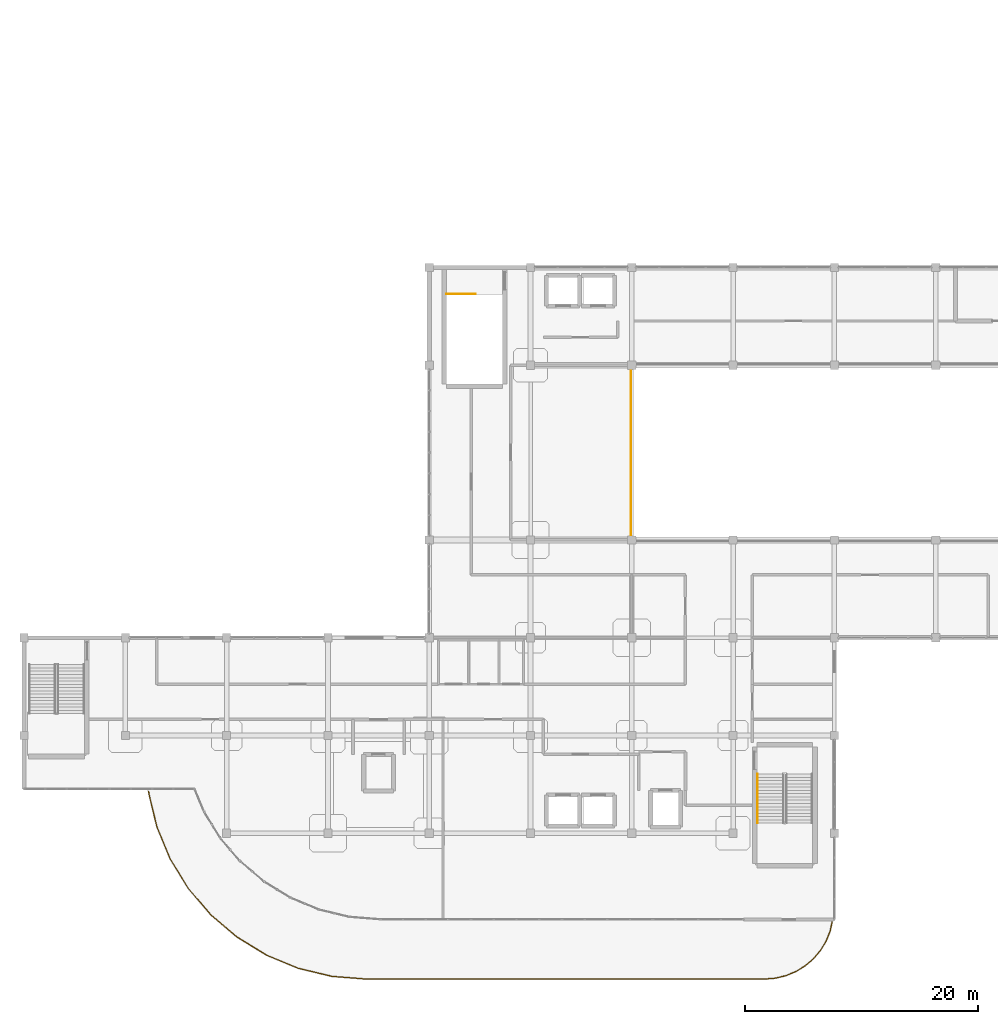
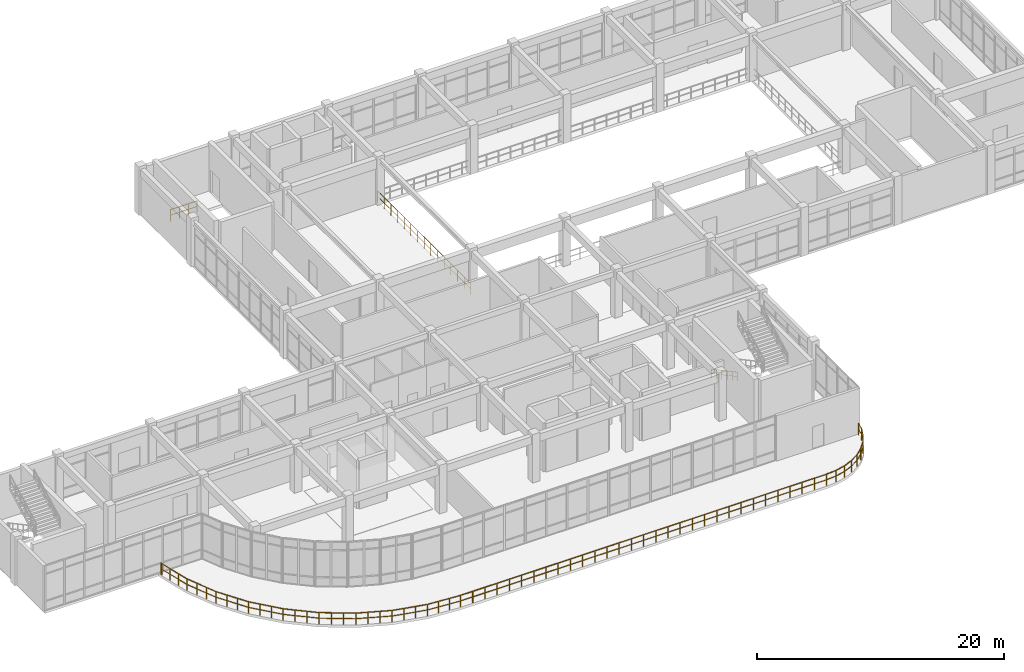
# One storey, part 61 of 64: 4 railings.
"""IFC4 building model written with IfcOpenShell, lengths in metres."""

from ifc_helpers import new_model, si_unit, derived_unit, direction, frame, origin, origin_2d, place, context, subcontext, project, spatial, circle, extrude, material, type_object, element, save


model = new_model("IFC4")

# Units and contexts
model_context = context("Model", 3, precision=1e-05, world=origin(), true_north=direction((0.0, 1.0)))
body_context = subcontext(model_context, "Body", "Model", "MODEL_VIEW")
ifc_project = project(units=[si_unit("LENGTHUNIT", "METRE"), si_unit("AREAUNIT", "SQUARE_METRE"), si_unit("VOLUMEUNIT", "CUBIC_METRE"), si_unit("PLANEANGLEUNIT", "RADIAN"), si_unit("MASSUNIT", "GRAM", prefix="KILO"), derived_unit("THERMALTRANSMITTANCEUNIT", [(si_unit("MASSUNIT", "GRAM", prefix="KILO"), 1), (si_unit("TIMEUNIT", "SECOND"), -3), (si_unit("THERMODYNAMICTEMPERATUREUNIT", "KELVIN"), -1)])], contexts=[model_context])

# Site, building, storey
site_placement = place(None, origin())
site = spatial("IfcSite", under=ifc_project, at=site_placement, CompositionType="ELEMENT")
building_placement = place(site_placement, origin())
building = spatial("IfcBuilding", under=site, at=building_placement, Name="Qinzheling Arcade Emporium", CompositionType="ELEMENT")
storey_placement = place(building_placement, frame((0.0, 0.0, 31.5)))
storey = spatial("IfcBuildingStorey", under=building, at=storey_placement, Name="L07", CompositionType="ELEMENT", Elevation=31.5)

# Railings
ifc_material_1 = material(Name="Architectural bronze rail and laminated safety glass", Category="glass")
railing_type_1 = type_object("IfcRailingType", Name="Curved Terrace Laminated Glass and Bronze Balustrade 1150", PredefinedType="BALUSTRADE", material=ifc_material_1)
railing_1_placement = place(storey_placement, frame((69.406982421875, 17.580078125, 0.0)))
element("IfcRailing", 1, at=railing_1_placement, inside=storey, type_object=railing_type_1, Name="Terrace Balustrade RLG-TER-L07-018", PredefinedType="BALUSTRADE", context=body_context, shape_type="SweptSolid", body=[
    extrude(circle(Radius=0.02392578125, at=origin_2d()), frame((0.0, 0.0, 1.1259765625), z_axis=(-0.214592229861, -0.976703729328, 0.0), x_axis=(0.976703729328, -0.214592229861, 0.0)), (0.0, 0.0, 1.0), 0.829345703125),
    extrude(circle(Radius=0.01611328125, at=origin_2d()), frame((0.0, 0.0, 0.574951171875), z_axis=(-0.214592229861, -0.976703729328, 0.0), x_axis=(0.976703729328, -0.214592229861, 0.0)), (0.0, 0.0, 1.0), 0.829345703125),
    extrude(circle(Radius=0.02392578125, at=origin_2d()), frame((-0.177978515625, -0.81005859375, 1.1259765625), z_axis=(-0.382336309039, -0.924023239313, 0.0), x_axis=(0.924023239313, -0.382336309039, 0.0)), (0.0, 0.0, 1.0), 0.928466796875),
    extrude(circle(Radius=0.01611328125, at=origin_2d()), frame((-0.177978515625, -0.81005859375, 0.574951171875), z_axis=(-0.382336309039, -0.924023239313, 0.0), x_axis=(0.924023239313, -0.382336309039, 0.0)), (0.0, 0.0, 1.0), 0.928466796875),
    extrude(circle(Radius=0.02392578125, at=origin_2d()), frame((-0.532958984375, -1.66796875, 1.1259765625), z_axis=(-0.522321636863, -0.852748560635, 0.0), x_axis=(0.852748560635, -0.522321636863, 0.0)), (0.0, 0.0, 1.0), 0.9287109375),
    extrude(circle(Radius=0.01611328125, at=origin_2d()), frame((-0.532958984375, -1.66796875, 0.574951171875), z_axis=(-0.522321636863, -0.852748560635, 0.0), x_axis=(0.852748560635, -0.522321636863, 0.0)), (0.0, 0.0, 1.0), 0.9287109375),
    extrude(circle(Radius=0.02392578125, at=origin_2d()), frame((-1.01806640625, -2.4599609375, 1.1259765625), z_axis=(-0.649447844247, -0.760406139904, 0.0), x_axis=(0.760406139904, -0.649447844247, 0.0)), (0.0, 0.0, 1.0), 0.928466796875),
    extrude(circle(Radius=0.01611328125, at=origin_2d()), frame((-1.01806640625, -2.4599609375, 0.574951171875), z_axis=(-0.649447844247, -0.760406139904, 0.0), x_axis=(0.760406139904, -0.649447844247, 0.0)), (0.0, 0.0, 1.0), 0.928466796875),
    extrude(circle(Radius=0.02392578125, at=origin_2d()), frame((-1.62109375, -3.166015625, 1.1259765625), z_axis=(-0.760295205528, -0.649577709324, 0.0), x_axis=(0.649577709324, -0.760295205528, 0.0)), (0.0, 0.0, 1.0), 0.92822265625),
    extrude(circle(Radius=0.01611328125, at=origin_2d()), frame((-1.62109375, -3.166015625, 0.574951171875), z_axis=(-0.760295205528, -0.649577709324, 0.0), x_axis=(0.649577709324, -0.760295205528, 0.0)), (0.0, 0.0, 1.0), 0.92822265625),
    extrude(circle(Radius=0.02392578125, at=origin_2d()), frame((-2.326904296875, -3.76904296875, 1.1259765625), z_axis=(-0.852748560635, -0.522321636863, 0.0), x_axis=(0.522321636863, -0.852748560635, 0.0)), (0.0, 0.0, 1.0), 0.9287109375),
    extrude(circle(Radius=0.01611328125, at=origin_2d()), frame((-2.326904296875, -3.76904296875, 0.574951171875), z_axis=(-0.852748560635, -0.522321636863, 0.0), x_axis=(0.522321636863, -0.852748560635, 0.0)), (0.0, 0.0, 1.0), 0.9287109375),
    extrude(circle(Radius=0.02392578125, at=origin_2d()), frame((-3.118896484375, -4.254150390625, 1.1259765625), z_axis=(-0.923844027884, -0.382769136873, 0.0), x_axis=(0.382769136873, -0.923844027884, 0.0)), (0.0, 0.0, 1.0), 0.929931640625),
    extrude(circle(Radius=0.01611328125, at=origin_2d()), frame((-3.118896484375, -4.254150390625, 0.574951171875), z_axis=(-0.923844027884, -0.382769136873, 0.0), x_axis=(0.382769136873, -0.923844027884, 0.0)), (0.0, 0.0, 1.0), 0.929931640625),
    extrude(circle(Radius=0.02392578125, at=origin_2d()), frame((-3.97802734375, -4.610107421875, 1.1259765625), z_axis=(-0.972313286929, -0.233681133301, 0.0), x_axis=(0.233681133301, -0.972313286929, 0.0)), (0.0, 0.0, 1.0), 0.9287109375),
    extrude(circle(Radius=0.01611328125, at=origin_2d()), frame((-3.97802734375, -4.610107421875, 0.574951171875), z_axis=(-0.972313286929, -0.233681133301, 0.0), x_axis=(0.233681133301, -0.972313286929, 0.0)), (0.0, 0.0, 1.0), 0.9287109375),
    extrude(circle(Radius=0.02392578125, at=origin_2d()), frame((-4.881103515625, -4.8271484375, 1.1259765625), z_axis=(-0.996926753323, -0.07833931649, 0.0), x_axis=(0.07833931649, -0.996926753323, 0.0)), (0.0, 0.0, 1.0), 0.931884765625),
    extrude(circle(Radius=0.01611328125, at=origin_2d()), frame((-4.881103515625, -4.8271484375, 0.574951171875), z_axis=(-0.996926753323, -0.07833931649, 0.0), x_axis=(0.07833931649, -0.996926753323, 0.0)), (0.0, 0.0, 1.0), 0.931884765625),
    extrude(circle(Radius=0.02392578125, at=origin_2d()), frame((-5.81005859375, -4.900146484375, 1.1259765625), z_axis=(-1.0, 0.0, 0.0), x_axis=(0.0, -1.0, 0.0)), (0.0, 0.0, 1.0), 34.19384765625),
    extrude(circle(Radius=0.01611328125, at=origin_2d()), frame((-5.81005859375, -4.900146484375, 0.574951171875), z_axis=(-1.0, 0.0, 0.0), x_axis=(0.0, -1.0, 0.0)), (0.0, 0.0, 1.0), 34.19384765625),
    extrude(circle(Radius=0.02392578125, at=origin_2d()), frame((-40.00390625, -4.900146484375, 1.1259765625), z_axis=(-0.996916612664, 0.07846825724, 0.0), x_axis=(-0.07846825724, -0.996916612664, 0.0)), (0.0, 0.0, 1.0), 2.971435546875),
    extrude(circle(Radius=0.01611328125, at=origin_2d()), frame((-40.00390625, -4.900146484375, 0.574951171875), z_axis=(-0.996916612664, 0.07846825724, 0.0), x_axis=(-0.07846825724, -0.996916612664, 0.0)), (0.0, 0.0, 1.0), 2.971435546875),
    extrude(circle(Radius=0.02392578125, at=origin_2d()), frame((-42.966064453125, -4.6669921875, 1.1259765625), z_axis=(-0.972387301981, 0.233372952475, 0.0), x_axis=(-0.233372952475, -0.972387301981, 0.0)), (0.0, 0.0, 1.0), 2.968994140625),
    extrude(circle(Radius=0.01611328125, at=origin_2d()), frame((-42.966064453125, -4.6669921875, 0.574951171875), z_axis=(-0.972387301981, 0.233372952475, 0.0), x_axis=(-0.233372952475, -0.972387301981, 0.0)), (0.0, 0.0, 1.0), 2.968994140625),
    extrude(circle(Radius=0.02392578125, at=origin_2d()), frame((-45.85302734375, -3.97412109375, 1.1259765625), z_axis=(-0.923831463888, 0.382799459679, 0.0), x_axis=(-0.382799459679, -0.923831463888, 0.0)), (0.0, 0.0, 1.0), 2.97021484375),
    extrude(circle(Radius=0.01611328125, at=origin_2d()), frame((-45.85302734375, -3.97412109375, 0.574951171875), z_axis=(-0.923831463888, 0.382799459679, 0.0), x_axis=(-0.382799459679, -0.923831463888, 0.0)), (0.0, 0.0, 1.0), 2.97021484375),
    extrude(circle(Radius=0.02392578125, at=origin_2d()), frame((-48.596923828125, -2.837158203125, 1.1259765625), z_axis=(-0.852636711721, 0.522504198859, 0.0), x_axis=(-0.522504198859, -0.852636711721, 0.0)), (0.0, 0.0, 1.0), 2.968505859375),
    extrude(circle(Radius=0.01611328125, at=origin_2d()), frame((-48.596923828125, -2.837158203125, 0.574951171875), z_axis=(-0.852636711721, 0.522504198859, 0.0), x_axis=(-0.522504198859, -0.852636711721, 0.0)), (0.0, 0.0, 1.0), 2.968505859375),
    extrude(circle(Radius=0.02392578125, at=origin_2d()), frame((-51.1279296875, -1.2861328125, 1.1259765625), z_axis=(-0.760364369972, 0.649496747395, 0.0), x_axis=(-0.649496747395, -0.760364369972, 0.0)), (0.0, 0.0, 1.0), 2.968505859375),
    extrude(circle(Radius=0.01611328125, at=origin_2d()), frame((-51.1279296875, -1.2861328125, 0.574951171875), z_axis=(-0.760364369972, 0.649496747395, 0.0), x_axis=(-0.649496747395, -0.760364369972, 0.0)), (0.0, 0.0, 1.0), 2.968505859375),
    extrude(circle(Radius=0.02392578125, at=origin_2d()), frame((-53.385009765625, 0.641845703125, 1.1259765625), z_axis=(-0.649496747395, 0.760364369972, 0.0), x_axis=(-0.760364369972, -0.649496747395, 0.0)), (0.0, 0.0, 1.0), 2.968505859375),
    extrude(circle(Radius=0.01611328125, at=origin_2d()), frame((-53.385009765625, 0.641845703125, 0.574951171875), z_axis=(-0.649496747395, 0.760364369972, 0.0), x_axis=(-0.760364369972, -0.649496747395, 0.0)), (0.0, 0.0, 1.0), 2.968505859375),
    extrude(circle(Radius=0.02392578125, at=origin_2d()), frame((-55.31298828125, 2.89892578125, 1.1259765625), z_axis=(-0.522504198859, 0.852636711721, 0.0), x_axis=(-0.852636711721, -0.522504198859, 0.0)), (0.0, 0.0, 1.0), 2.968505859375),
    extrude(circle(Radius=0.01611328125, at=origin_2d()), frame((-55.31298828125, 2.89892578125, 0.574951171875), z_axis=(-0.522504198859, 0.852636711721, 0.0), x_axis=(-0.852636711721, -0.522504198859, 0.0)), (0.0, 0.0, 1.0), 2.968505859375),
    extrude(circle(Radius=0.02392578125, at=origin_2d()), frame((-56.864013671875, 5.429931640625, 1.1259765625), z_axis=(-0.382799459679, 0.923831463888, 0.0), x_axis=(-0.923831463888, -0.382799459679, 0.0)), (0.0, 0.0, 1.0), 2.97021484375),
    extrude(circle(Radius=0.01611328125, at=origin_2d()), frame((-56.864013671875, 5.429931640625, 0.574951171875), z_axis=(-0.382799459679, 0.923831463888, 0.0), x_axis=(-0.923831463888, -0.382799459679, 0.0)), (0.0, 0.0, 1.0), 2.97021484375),
    extrude(circle(Radius=0.02392578125, at=origin_2d()), frame((-58.0009765625, 8.173828125, 1.1259765625), z_axis=(-0.233432038402, 0.972373119459, 0.0), x_axis=(-0.972373119459, -0.233432038402, 0.0)), (0.0, 0.0, 1.0), 2.96923828125),
    extrude(circle(Radius=0.01611328125, at=origin_2d()), frame((-58.0009765625, 8.173828125, 0.574951171875), z_axis=(-0.233432038402, 0.972373119459, 0.0), x_axis=(-0.972373119459, -0.233432038402, 0.0)), (0.0, 0.0, 1.0), 2.96923828125),
    extrude(circle(Radius=0.02392578125, at=origin_2d()), frame((-58.694091796875, 11.06103515625, 1.1259765625), z_axis=(-0.078839943624, 0.996887287154, 0.0), x_axis=(-0.996887287154, -0.078839943624, 0.0)), (0.0, 0.0, 1.0), 0.139404296875),
    extrude(circle(Radius=0.01611328125, at=origin_2d()), frame((-58.694091796875, 11.06103515625, 0.574951171875), z_axis=(-0.078839943624, 0.996887287154, 0.0), x_axis=(-0.996887287154, -0.078839943624, 0.0)), (0.0, 0.0, 1.0), 0.139404296875),
    extrude(circle(Radius=0.02099609375, at=origin_2d()), origin(), (0.0, 0.0, 1.0), 1.101806640625),
    extrude(circle(Radius=0.02099609375, at=origin_2d()), frame((-0.177978515625, -0.81005859375, 0.0)), (0.0, 0.0, 1.0), 1.101806640625),
    extrude(circle(Radius=0.02099609375, at=origin_2d()), frame((-0.532958984375, -1.66796875, 0.0)), (0.0, 0.0, 1.0), 1.101806640625),
    extrude(circle(Radius=0.02099609375, at=origin_2d()), frame((-1.01806640625, -2.4599609375, 0.0)), (0.0, 0.0, 1.0), 1.101806640625),
    extrude(circle(Radius=0.02099609375, at=origin_2d()), frame((-1.62109375, -3.166015625, 0.0)), (0.0, 0.0, 1.0), 1.101806640625),
    extrude(circle(Radius=0.02099609375, at=origin_2d()), frame((-2.326904296875, -3.76904296875, 0.0)), (0.0, 0.0, 1.0), 1.101806640625),
    extrude(circle(Radius=0.02099609375, at=origin_2d()), frame((-3.118896484375, -4.254150390625, 0.0)), (0.0, 0.0, 1.0), 1.101806640625),
    extrude(circle(Radius=0.02099609375, at=origin_2d()), frame((-3.97802734375, -4.610107421875, 0.0)), (0.0, 0.0, 1.0), 1.101806640625),
    extrude(circle(Radius=0.02099609375, at=origin_2d()), frame((-4.881103515625, -4.8271484375, 0.0)), (0.0, 0.0, 1.0), 1.101806640625),
    extrude(circle(Radius=0.02099609375, at=origin_2d()), frame((-5.81005859375, -4.900146484375, 0.0)), (0.0, 0.0, 1.0), 1.101806640625),
    extrude(circle(Radius=0.02099609375, at=origin_2d()), frame((-6.949951171875, -4.900146484375, 0.0)), (0.0, 0.0, 1.0), 1.101806640625),
    extrude(circle(Radius=0.02099609375, at=origin_2d()), frame((-8.089599609375, -4.900146484375, 0.0)), (0.0, 0.0, 1.0), 1.101806640625),
    extrude(circle(Radius=0.02099609375, at=origin_2d()), frame((-9.2294921875, -4.900146484375, 0.0)), (0.0, 0.0, 1.0), 1.101806640625),
    extrude(circle(Radius=0.02099609375, at=origin_2d()), frame((-10.369140625, -4.900146484375, 0.0)), (0.0, 0.0, 1.0), 1.101806640625),
    extrude(circle(Radius=0.02099609375, at=origin_2d()), frame((-11.509033203125, -4.900146484375, 0.0)), (0.0, 0.0, 1.0), 1.101806640625),
    extrude(circle(Radius=0.02099609375, at=origin_2d()), frame((-12.64892578125, -4.900146484375, 0.0)), (0.0, 0.0, 1.0), 1.101806640625),
    extrude(circle(Radius=0.02099609375, at=origin_2d()), frame((-13.78857421875, -4.900146484375, 0.0)), (0.0, 0.0, 1.0), 1.101806640625),
    extrude(circle(Radius=0.02099609375, at=origin_2d()), frame((-14.928466796875, -4.900146484375, 0.0)), (0.0, 0.0, 1.0), 1.101806640625),
    extrude(circle(Radius=0.02099609375, at=origin_2d()), frame((-16.068115234375, -4.900146484375, 0.0)), (0.0, 0.0, 1.0), 1.101806640625),
    extrude(circle(Radius=0.02099609375, at=origin_2d()), frame((-17.2080078125, -4.900146484375, 0.0)), (0.0, 0.0, 1.0), 1.101806640625),
    extrude(circle(Radius=0.02099609375, at=origin_2d()), frame((-18.347900390625, -4.900146484375, 0.0)), (0.0, 0.0, 1.0), 1.101806640625),
    extrude(circle(Radius=0.02099609375, at=origin_2d()), frame((-19.487548828125, -4.900146484375, 0.0)), (0.0, 0.0, 1.0), 1.101806640625),
    extrude(circle(Radius=0.02099609375, at=origin_2d()), frame((-20.62744140625, -4.900146484375, 0.0)), (0.0, 0.0, 1.0), 1.101806640625),
    extrude(circle(Radius=0.02099609375, at=origin_2d()), frame((-21.76708984375, -4.900146484375, 0.0)), (0.0, 0.0, 1.0), 1.101806640625),
    extrude(circle(Radius=0.02099609375, at=origin_2d()), frame((-22.906982421875, -4.900146484375, 0.0)), (0.0, 0.0, 1.0), 1.101806640625),
    extrude(circle(Radius=0.02099609375, at=origin_2d()), frame((-24.046875, -4.900146484375, 0.0)), (0.0, 0.0, 1.0), 1.101806640625),
    extrude(circle(Radius=0.02099609375, at=origin_2d()), frame((-25.1865234375, -4.900146484375, 0.0)), (0.0, 0.0, 1.0), 1.101806640625),
    extrude(circle(Radius=0.02099609375, at=origin_2d()), frame((-26.326416015625, -4.900146484375, 0.0)), (0.0, 0.0, 1.0), 1.101806640625),
    extrude(circle(Radius=0.02099609375, at=origin_2d()), frame((-27.466064453125, -4.900146484375, 0.0)), (0.0, 0.0, 1.0), 1.101806640625),
    extrude(circle(Radius=0.02099609375, at=origin_2d()), frame((-28.60595703125, -4.900146484375, 0.0)), (0.0, 0.0, 1.0), 1.101806640625),
    extrude(circle(Radius=0.02099609375, at=origin_2d()), frame((-29.745849609375, -4.900146484375, 0.0)), (0.0, 0.0, 1.0), 1.101806640625),
    extrude(circle(Radius=0.02099609375, at=origin_2d()), frame((-30.885498046875, -4.900146484375, 0.0)), (0.0, 0.0, 1.0), 1.101806640625),
    extrude(circle(Radius=0.02099609375, at=origin_2d()), frame((-32.025390625, -4.900146484375, 0.0)), (0.0, 0.0, 1.0), 1.101806640625),
    extrude(circle(Radius=0.02099609375, at=origin_2d()), frame((-33.1650390625, -4.900146484375, 0.0)), (0.0, 0.0, 1.0), 1.101806640625),
    extrude(circle(Radius=0.02099609375, at=origin_2d()), frame((-34.304931640625, -4.900146484375, 0.0)), (0.0, 0.0, 1.0), 1.101806640625),
    extrude(circle(Radius=0.02099609375, at=origin_2d()), frame((-35.44482421875, -4.900146484375, 0.0)), (0.0, 0.0, 1.0), 1.101806640625),
    extrude(circle(Radius=0.02099609375, at=origin_2d()), frame((-36.58447265625, -4.900146484375, 0.0)), (0.0, 0.0, 1.0), 1.101806640625),
    extrude(circle(Radius=0.02099609375, at=origin_2d()), frame((-37.724365234375, -4.900146484375, 0.0)), (0.0, 0.0, 1.0), 1.101806640625),
    extrude(circle(Radius=0.02099609375, at=origin_2d()), frame((-38.864013671875, -4.900146484375, 0.0)), (0.0, 0.0, 1.0), 1.101806640625),
    extrude(circle(Radius=0.02099609375, at=origin_2d()), frame((-40.00390625, -4.900146484375, 0.0)), (0.0, 0.0, 1.0), 1.101806640625),
    extrude(circle(Radius=0.02099609375, at=origin_2d()), frame((-40.9912109375, -4.822509765625, 0.0)), (0.0, 0.0, 1.0), 1.101806640625),
    extrude(circle(Radius=0.02099609375, at=origin_2d()), frame((-41.978759765625, -4.74462890625, 0.0)), (0.0, 0.0, 1.0), 1.101806640625),
    extrude(circle(Radius=0.02099609375, at=origin_2d()), frame((-42.966064453125, -4.6669921875, 0.0)), (0.0, 0.0, 1.0), 1.101806640625),
    extrude(circle(Radius=0.02099609375, at=origin_2d()), frame((-43.928466796875, -4.43603515625, 0.0)), (0.0, 0.0, 1.0), 1.101806640625),
    extrude(circle(Radius=0.02099609375, at=origin_2d()), frame((-44.890625, -4.205078125, 0.0)), (0.0, 0.0, 1.0), 1.101806640625),
    extrude(circle(Radius=0.02099609375, at=origin_2d()), frame((-45.85302734375, -3.97412109375, 0.0)), (0.0, 0.0, 1.0), 1.101806640625),
    extrude(circle(Radius=0.02099609375, at=origin_2d()), frame((-46.767578125, -3.59521484375, 0.0)), (0.0, 0.0, 1.0), 1.101806640625),
    extrude(circle(Radius=0.02099609375, at=origin_2d()), frame((-47.682373046875, -3.216064453125, 0.0)), (0.0, 0.0, 1.0), 1.101806640625),
    extrude(circle(Radius=0.02099609375, at=origin_2d()), frame((-48.596923828125, -2.837158203125, 0.0)), (0.0, 0.0, 1.0), 1.101806640625),
    extrude(circle(Radius=0.02099609375, at=origin_2d()), frame((-49.440673828125, -2.320068359375, 0.0)), (0.0, 0.0, 1.0), 1.101806640625),
    extrude(circle(Radius=0.02099609375, at=origin_2d()), frame((-50.2841796875, -1.80322265625, 0.0)), (0.0, 0.0, 1.0), 1.101806640625),
    extrude(circle(Radius=0.02099609375, at=origin_2d()), frame((-51.1279296875, -1.2861328125, 0.0)), (0.0, 0.0, 1.0), 1.101806640625),
    extrude(circle(Radius=0.02099609375, at=origin_2d()), frame((-51.88037109375, -0.6435546875, 0.0)), (0.0, 0.0, 1.0), 1.101806640625),
    extrude(circle(Radius=0.02099609375, at=origin_2d()), frame((-52.632568359375, -0.000732421875, 0.0)), (0.0, 0.0, 1.0), 1.101806640625),
    extrude(circle(Radius=0.02099609375, at=origin_2d()), frame((-53.385009765625, 0.641845703125, 0.0)), (0.0, 0.0, 1.0), 1.101806640625),
    extrude(circle(Radius=0.02099609375, at=origin_2d()), frame((-54.027587890625, 1.394287109375, 0.0)), (0.0, 0.0, 1.0), 1.101806640625),
    extrude(circle(Radius=0.02099609375, at=origin_2d()), frame((-54.67041015625, 2.146484375, 0.0)), (0.0, 0.0, 1.0), 1.101806640625),
    extrude(circle(Radius=0.02099609375, at=origin_2d()), frame((-55.31298828125, 2.89892578125, 0.0)), (0.0, 0.0, 1.0), 1.101806640625),
    extrude(circle(Radius=0.02099609375, at=origin_2d()), frame((-55.830078125, 3.74267578125, 0.0)), (0.0, 0.0, 1.0), 1.101806640625),
    extrude(circle(Radius=0.02099609375, at=origin_2d()), frame((-56.346923828125, 4.586181640625, 0.0)), (0.0, 0.0, 1.0), 1.101806640625),
    extrude(circle(Radius=0.02099609375, at=origin_2d()), frame((-56.864013671875, 5.429931640625, 0.0)), (0.0, 0.0, 1.0), 1.101806640625),
    extrude(circle(Radius=0.02099609375, at=origin_2d()), frame((-57.242919921875, 6.344482421875, 0.0)), (0.0, 0.0, 1.0), 1.101806640625),
    extrude(circle(Radius=0.02099609375, at=origin_2d()), frame((-57.6220703125, 7.25927734375, 0.0)), (0.0, 0.0, 1.0), 1.101806640625),
    extrude(circle(Radius=0.02099609375, at=origin_2d()), frame((-58.0009765625, 8.173828125, 0.0)), (0.0, 0.0, 1.0), 1.101806640625),
    extrude(circle(Radius=0.02099609375, at=origin_2d()), frame((-58.23193359375, 9.13623046875, 0.0)), (0.0, 0.0, 1.0), 1.101806640625),
    extrude(circle(Radius=0.02099609375, at=origin_2d()), frame((-58.463134765625, 10.0986328125, 0.0)), (0.0, 0.0, 1.0), 1.101806640625),
    extrude(circle(Radius=0.02099609375, at=origin_2d()), frame((-58.694091796875, 11.06103515625, 0.0)), (0.0, 0.0, 1.0), 1.101806640625),
    extrude(circle(Radius=0.02099609375, at=origin_2d()), frame((-58.705078125, 11.199951171875, 0.0)), (0.0, 0.0, 1.0), 1.101806640625),
])
ifc_material_2 = material(Name="Galvanised powder-coated tubular steel", Category="steel")
railing_type_2 = type_object("IfcRailingType", Name="Painted Steel Stairwell Guard Railing 1150", PredefinedType="GUARDRAIL", material=ifc_material_2)
railing_2_placement = place(storey_placement, frame((36.300048828125, 71.530029296875, 0.0)))
element("IfcRailing", 2, at=railing_2_placement, inside=storey, type_object=railing_type_2, Name="L07 ST03 top well guard 1", PredefinedType="GUARDRAIL", context=body_context, shape_type="SweptSolid", body=[
    extrude(circle(Radius=0.02392578125, at=origin_2d()), frame((0.0, 0.0, 1.1259765625), z_axis=(1.0, 0.0, 0.0), x_axis=(0.0, 1.0, 0.0)), (0.0, 0.0, 1.0), 2.469970703125),
    extrude(circle(Radius=0.01611328125, at=origin_2d()), frame((0.0, 0.0, 0.574951171875), z_axis=(1.0, 0.0, 0.0), x_axis=(0.0, 1.0, 0.0)), (0.0, 0.0, 1.0), 2.469970703125),
    extrude(circle(Radius=0.02099609375, at=origin_2d()), origin(), (0.0, 0.0, 1.0), 1.101806640625),
    extrude(circle(Radius=0.02099609375, at=origin_2d()), frame((0.8232421875, 0.0, 0.0)), (0.0, 0.0, 1.0), 1.101806640625),
    extrude(circle(Radius=0.02099609375, at=origin_2d()), frame((1.646728515625, 0.0, 0.0)), (0.0, 0.0, 1.0), 1.101806640625),
    extrude(circle(Radius=0.02099609375, at=origin_2d()), frame((2.469970703125, 0.0, 0.0)), (0.0, 0.0, 1.0), 1.101806640625),
])
railing_3_placement = place(storey_placement, frame((52.1201171875, 50.3701171875, 0.0)))
element("IfcRailing", 3, at=railing_3_placement, inside=storey, type_object=railing_type_2, Name="Atrium Void Guard L07 W", PredefinedType="GUARDRAIL", context=body_context, shape_type="SweptSolid", body=[
    extrude(circle(Radius=0.02392578125, at=origin_2d()), frame((0.0, 0.0, 1.1259765625), z_axis=(0.0, 1.0, 0.0), x_axis=(-1.0, 0.0, 0.0)), (0.0, 0.0, 1.0), 15.059814453125),
    extrude(circle(Radius=0.01611328125, at=origin_2d()), frame((0.0, 0.0, 0.574951171875), z_axis=(0.0, 1.0, 0.0), x_axis=(-1.0, 0.0, 0.0)), (0.0, 0.0, 1.0), 15.059814453125),
    extrude(circle(Radius=0.02099609375, at=origin_2d()), origin(), (0.0, 0.0, 1.0), 1.101806640625),
    extrude(circle(Radius=0.02099609375, at=origin_2d()), frame((0.0, 1.07568359375, 0.0)), (0.0, 0.0, 1.0), 1.101806640625),
    extrude(circle(Radius=0.02099609375, at=origin_2d()), frame((0.0, 2.1513671875, 0.0)), (0.0, 0.0, 1.0), 1.101806640625),
    extrude(circle(Radius=0.02099609375, at=origin_2d()), frame((0.0, 3.22705078125, 0.0)), (0.0, 0.0, 1.0), 1.101806640625),
    extrude(circle(Radius=0.02099609375, at=origin_2d()), frame((0.0, 4.302734375, 0.0)), (0.0, 0.0, 1.0), 1.101806640625),
    extrude(circle(Radius=0.02099609375, at=origin_2d()), frame((0.0, 5.37841796875, 0.0)), (0.0, 0.0, 1.0), 1.101806640625),
    extrude(circle(Radius=0.02099609375, at=origin_2d()), frame((0.0, 6.4541015625, 0.0)), (0.0, 0.0, 1.0), 1.101806640625),
    extrude(circle(Radius=0.02099609375, at=origin_2d()), frame((0.0, 7.52978515625, 0.0)), (0.0, 0.0, 1.0), 1.101806640625),
    extrude(circle(Radius=0.02099609375, at=origin_2d()), frame((0.0, 8.605712890625, 0.0)), (0.0, 0.0, 1.0), 1.101806640625),
    extrude(circle(Radius=0.02099609375, at=origin_2d()), frame((0.0, 9.681396484375, 0.0)), (0.0, 0.0, 1.0), 1.101806640625),
    extrude(circle(Radius=0.02099609375, at=origin_2d()), frame((0.0, 10.757080078125, 0.0)), (0.0, 0.0, 1.0), 1.101806640625),
    extrude(circle(Radius=0.02099609375, at=origin_2d()), frame((0.0, 11.832763671875, 0.0)), (0.0, 0.0, 1.0), 1.101806640625),
    extrude(circle(Radius=0.02099609375, at=origin_2d()), frame((0.0, 12.908447265625, 0.0)), (0.0, 0.0, 1.0), 1.101806640625),
    extrude(circle(Radius=0.02099609375, at=origin_2d()), frame((0.0, 13.984130859375, 0.0)), (0.0, 0.0, 1.0), 1.101806640625),
    extrude(circle(Radius=0.02099609375, at=origin_2d()), frame((0.0, 15.059814453125, 0.0)), (0.0, 0.0, 1.0), 1.101806640625),
])
ifc_material_3 = material(Name="Brushed stainless steel 304", Category="steel")
railing_type_3 = type_object("IfcRailingType", Name="Stainless Steel Wall Handrail 900", PredefinedType="HANDRAIL", material=ifc_material_3)
railing_4_placement = place(storey_placement, frame((63.0, 30.280029296875, 0.14990234375)))
element("IfcRailing", 4, at=railing_4_placement, inside=storey, type_object=railing_type_3, Name="L07 ST01 stair handrail 1", PredefinedType="HANDRAIL", context=body_context, shape_type="SweptSolid", body=[
    extrude(circle(Radius=0.02392578125, at=origin_2d()), frame((0.0, 0.0, 0.8759765625), z_axis=(0.0, -0.881477684796, 0.472225678258), x_axis=(1.0, 0.0, 0.0)), (0.0, 0.0, 1.0), 4.7646484375),
    extrude(circle(Radius=0.01611328125, at=origin_2d()), frame((0.0, 0.0, 0.449951171875), z_axis=(0.0, -0.881477684796, 0.472225678258), x_axis=(1.0, 0.0, 0.0)), (0.0, 0.0, 1.0), 4.7646484375),
    extrude(circle(Radius=0.02099609375, at=origin_2d()), origin(), (0.0, 0.0, 1.0), 0.851806640625),
    extrude(circle(Radius=0.02099609375, at=origin_2d()), frame((0.0, -0.840087890625, 0.449951171875)), (0.0, 0.0, 1.0), 0.851806640625),
    extrude(circle(Radius=0.02099609375, at=origin_2d()), frame((0.0, -1.679931640625, 0.89990234375)), (0.0, 0.0, 1.0), 0.851806640625),
    extrude(circle(Radius=0.02099609375, at=origin_2d()), frame((0.0, -2.52001953125, 1.35009765625)), (0.0, 0.0, 1.0), 0.851806640625),
    extrude(circle(Radius=0.02099609375, at=origin_2d()), frame((0.0, -3.35986328125, 1.800048828125)), (0.0, 0.0, 1.0), 0.851806640625),
    extrude(circle(Radius=0.02099609375, at=origin_2d()), frame((0.0, -4.199951171875, 2.25)), (0.0, 0.0, 1.0), 0.851806640625),
])

save(model, "model.ifc")
